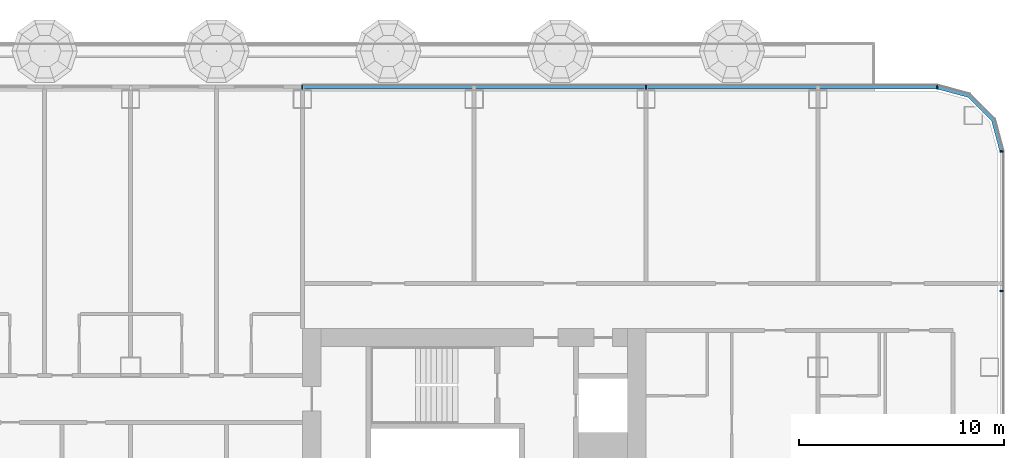
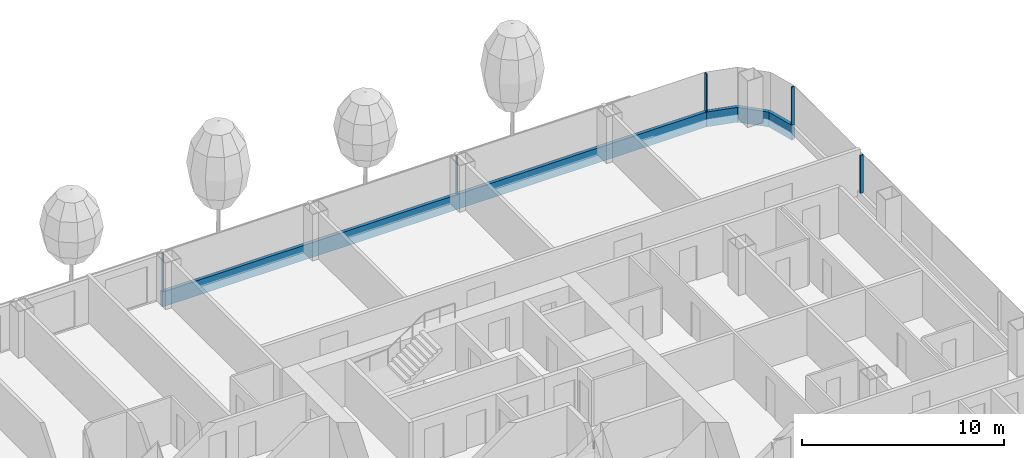
# One storey, part 9 of 37: 7 members, 3 elements without a shape of their own.
"""IFC4 building model written with IfcOpenShell, lengths in metres."""

from ifc_helpers import new_model, si_unit, direction, frame, origin, origin_2d, place, context, subcontext, project, spatial, polyline, rectangle, outline, extrude, material, layer, layer_set, material_profile, profile_set, type_object, element, aggregate, save


model = new_model("IFC4")

# Units and contexts
model_context = context("Model", 3, precision=1e-05, world=origin(), true_north=direction((0.0, 1.0)))
body_context = subcontext(model_context, "Body", "Model", "MODEL_VIEW")
ifc_project = project(units=[si_unit("LENGTHUNIT", "METRE"), si_unit("AREAUNIT", "SQUARE_METRE"), si_unit("VOLUMEUNIT", "CUBIC_METRE"), si_unit("PLANEANGLEUNIT", "RADIAN"), si_unit("MASSUNIT", "GRAM", prefix="KILO")], contexts=[model_context])

# Site, building, storey
site_placement = place(None, origin())
site = spatial("IfcSite", under=ifc_project, at=site_placement, CompositionType="ELEMENT")
building_placement = place(site_placement, origin())
building = spatial("IfcBuilding", under=site, at=building_placement, Name="Hakoniwa Tower and Hamabe Station Hall", CompositionType="ELEMENT")
storey_placement = place(building_placement, frame((0.0, 0.0, 39.0)))
storey = spatial("IfcBuildingStorey", under=building, at=storey_placement, Name="L10", CompositionType="ELEMENT", Elevation=39.0)

# Curtain wall, member
ifc_material_1 = material(Name="Dark low-e laminated glass", Category="glass")
ifc_layer = layer(ifc_material_1, 0.199951171875)
ifc_layer_set = layer_set([ifc_layer], Name="CW-1 UNITISED GUEST")
curtain_wall_type = type_object("IfcCurtainWallType", Name="CW-1 UNITISED GUEST", PredefinedType="NOTDEFINED", material=ifc_layer_set)
curtain_wall_1_placement = place(storey_placement, origin())
curtain_wall_1 = element("IfcCurtainWall", 1, at=curtain_wall_1_placement, inside=storey, type_object=curtain_wall_type, Name="CW-1 curtain wall", PredefinedType="NOTDEFINED")
ifc_material_2 = material(Name="Aluminium 6063-T5 black anodised", Category="aluminium")
ifc_material_profile_1 = material_profile(ifc_material_2, rectangle(XDim=0.199951171875, YDim=0.89990234375, at=origin_2d()), Name="CW SLAB-EDGE BAND 900X200")
ifc_profile_set_1 = profile_set([ifc_material_profile_1], Name="Aluminium 6063-T5 black anodised")
member_type_1 = type_object("IfcMemberType", Name="CW SLAB-EDGE BAND 900X200", PredefinedType="USERDEFINED", material=ifc_profile_set_1)
member_1_placement = place(storey_placement, frame((0.0, 0.0, -0.550048828125)))
member_1 = element("IfcMember", 2, at=member_1_placement, type_object=member_type_1, Name="CW-1 transom", ObjectType="TRANSOM", PredefinedType="USERDEFINED", context=body_context, shape_type="SweptSolid", body=[
    extrude(outline(polyline([(51.10009765625, 17.03955078125), (50.6669921875, 18.6552734375), (49.455322265625, 19.866943359375), (47.839599609375, 20.300048828125), (47.787841796875, 20.10693359375), (49.351806640625, 19.687744140625), (50.48779296875, 18.5517578125), (50.90673828125, 16.98779296875), (51.10009765625, 17.03955078125)])), origin(), (0.0, 0.0, 1.0), 0.900146484375),
])
aggregate(curtain_wall_1, [member_1])

curtain_wall_2_placement = place(storey_placement, origin())
curtain_wall_2 = element("IfcCurtainWall", 3, at=curtain_wall_2_placement, inside=storey, type_object=curtain_wall_type, Name="CW-1 curtain wall", PredefinedType="NOTDEFINED")
member_2_placement = place(storey_placement, frame((47.839599609375, 20.199951171875, -0.10009765625), z_axis=(-1.0, 0.0, 0.0), x_axis=(0.0, -1.0, 0.0)))
member_2 = element("IfcMember", 4, at=member_2_placement, type_object=member_type_1, Name="CW-1 transom", ObjectType="TRANSOM", PredefinedType="USERDEFINED", context=body_context, shape_type="SweptSolid", body=[
    extrude(rectangle(XDim=0.199951171875, YDim=0.89990234375, at=origin_2d()), origin(), (0.0, 0.0, 1.0), 31.099609375),
])

# Curtain wall, members
curtain_wall_3_placement = place(storey_placement, origin())
curtain_wall_3 = element("IfcCurtainWall", 5, at=curtain_wall_3_placement, inside=storey, type_object=curtain_wall_type, Name="CW-1 curtain wall", PredefinedType="NOTDEFINED")
ifc_material_3 = material(Name="Aluminium 6063-T5 black anodised", Category="aluminium")
ifc_material_profile_2 = material_profile(ifc_material_3, rectangle(XDim=0.06005859375, YDim=0.179931640625, at=origin_2d()), Name="CW-1 MULLION 60X180")
ifc_profile_set_2 = profile_set([ifc_material_profile_2], Name="Aluminium 6063-T5 black anodised")
member_type_2 = type_object("IfcMemberType", Name="CW-1 MULLION 60X180", PredefinedType="MULLION", material=ifc_profile_set_2)
member_3_placement = place(storey_placement, frame((50.98193359375, 10.2236328125, 0.35009765625), z_axis=(0.0, 0.0, 1.0), x_axis=(0.0, 1.0, 0.0)))
member_3 = element("IfcMember", 6, at=member_3_placement, type_object=member_type_2, Name="CW-1 mullion", PredefinedType="MULLION", context=body_context, shape_type="SweptSolid", body=[
    extrude(rectangle(XDim=0.06005859375, YDim=0.179931640625, at=origin_2d()), origin(), (0.0, 0.0, 1.0), 2.2998046875),
])
member_4_placement = place(storey_placement, frame((50.98193359375, 17.03955078125, 0.35009765625), z_axis=(0.0, 0.0, 1.0), x_axis=(0.0, 1.0, 0.0)))
member_4 = element("IfcMember", 7, at=member_4_placement, type_object=member_type_2, Name="CW-1 mullion", PredefinedType="MULLION", context=body_context, shape_type="SweptSolid", body=[
    extrude(rectangle(XDim=0.06005859375, YDim=0.179931640625, at=origin_2d()), origin(), (0.0, 0.0, 1.0), 2.2998046875),
])
aggregate(curtain_wall_3, [member_3, member_4])

# Member
member_5_placement = place(storey_placement, frame((47.839599609375, 20.181884765625, 0.35009765625), z_axis=(0.0, 0.0, 1.0), x_axis=(-1.0, 0.0, 0.0)))
member_5 = element("IfcMember", 8, at=member_5_placement, type_object=member_type_2, Name="CW-1 mullion", PredefinedType="MULLION", context=body_context, shape_type="SweptSolid", body=[
    extrude(rectangle(XDim=0.06005859375, YDim=0.179931640625, at=origin_2d()), origin(), (0.0, 0.0, 1.0), 2.2998046875),
])

member_6_placement = place(storey_placement, frame((33.60009765625, 20.181884765625, 0.35009765625), z_axis=(0.0, 0.0, 1.0), x_axis=(-1.0, 0.0, 0.0)))
member_6 = element("IfcMember", 9, at=member_6_placement, type_object=member_type_2, Name="CW-1 mullion", PredefinedType="MULLION", context=body_context, shape_type="SweptSolid", body=[
    extrude(rectangle(XDim=0.06005859375, YDim=0.179931640625, at=origin_2d()), origin(), (0.0, 0.0, 1.0), 2.2998046875),
])

member_7_placement = place(storey_placement, frame((16.800048828125, 20.181884765625, 0.35009765625), z_axis=(0.0, 0.0, 1.0), x_axis=(-1.0, 0.0, 0.0)))
member_7 = element("IfcMember", 10, at=member_7_placement, type_object=member_type_2, Name="CW-1 mullion", PredefinedType="MULLION", context=body_context, shape_type="SweptSolid", body=[
    extrude(rectangle(XDim=0.06005859375, YDim=0.179931640625, at=origin_2d()), origin(), (0.0, 0.0, 1.0), 2.2998046875),
])

aggregate(curtain_wall_2, [member_5, member_6, member_7, member_2])

save(model, "model.ifc")
